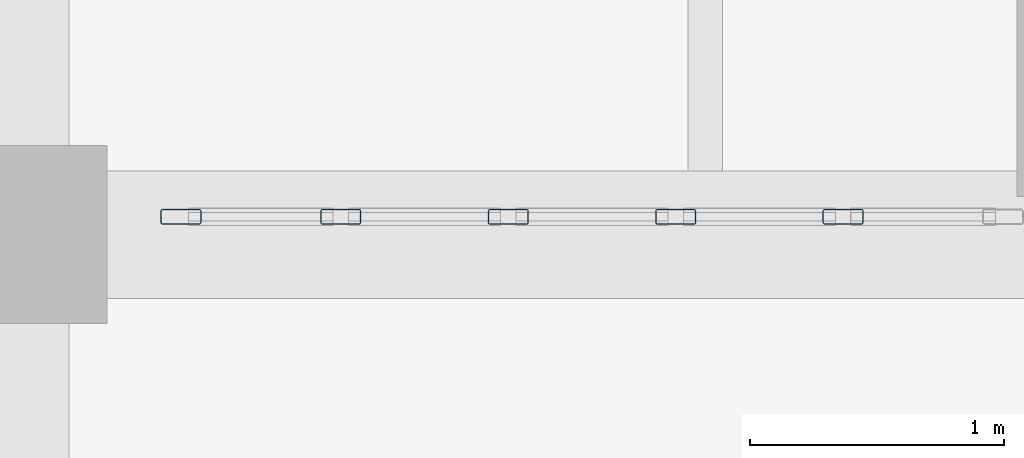
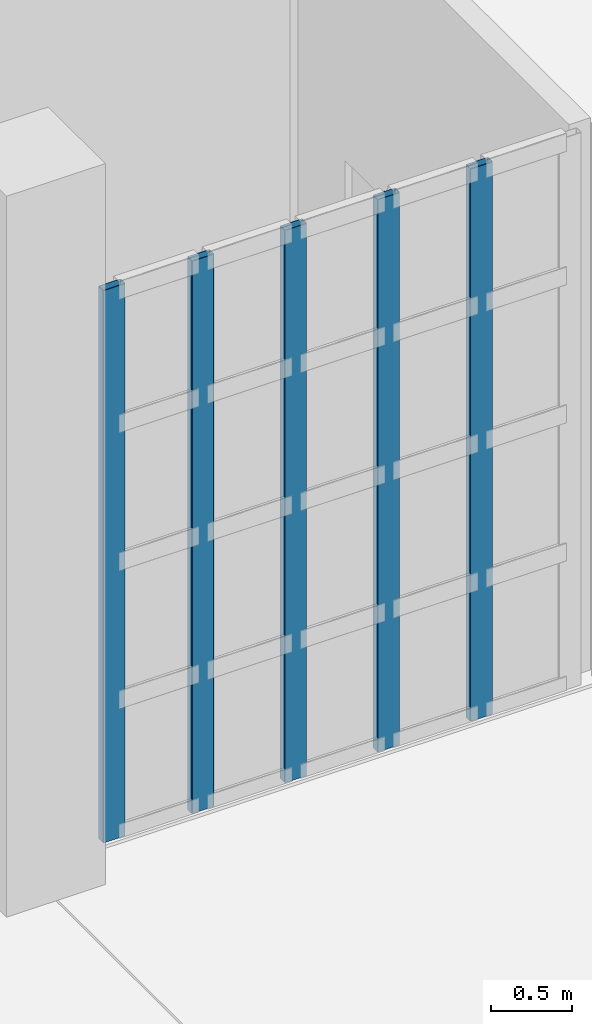
# One storey, part 95 of 372: 5 members, 1 element without a shape of its own.
"""IFC4 building model written with IfcOpenShell, lengths in metres."""

import ifcopenshell
import ifcopenshell.guid

model = None  # the IFC model being written
_history = None  # IfcOwnerHistory: only IFC2X3 demands one
_inside = {}  # id of a spatial element -> (the spatial element, [elements in it])
_under = {}  # id of a project, library or spatial element -> (it, [spatial elements below it])
_declared = {}  # id of a project -> (the project, [libraries it declares])
_typed = {}  # id of a type object -> (the type object, [elements of that type])
_made_of = {}  # id of a material, layer set ... -> (it, [elements and type objects made of it])


def new_model(schema):
    """Start an empty IFC model of exactly this schema.

    Asked for "IFC4X3", IfcOpenShell would pick the latest addendum, in which some entities
    have other attributes; the version numbers below select the first issue.
    IFC2X3 requires an IfcOwnerHistory on every rooted entity: one is made here for all.
    """
    global model, _history
    if schema == "IFC4X3":
        model = ifcopenshell.file(schema_version=(4, 3, 0, 0))
    else:
        model = ifcopenshell.file(schema=schema)
    _inside.clear()
    _under.clear()
    _declared.clear()
    _typed.clear()
    _made_of.clear()
    _history = None
    if model.schema == "IFC2X3":
        org = make("IfcOrganization", Name="unknown")
        user = make(
            "IfcPersonAndOrganization",
            ThePerson=make("IfcPerson", FamilyName="unknown"),
            TheOrganization=org,
        )
        app = make(
            "IfcApplication",
            ApplicationDeveloper=org,
            Version="unknown",
            ApplicationFullName="unknown",
            ApplicationIdentifier="unknown",
        )
        _history = make(
            "IfcOwnerHistory",
            OwningUser=user,
            OwningApplication=app,
            ChangeAction="ADDED",
            CreationDate=0,
        )
    return model


def make(cls, **values):
    """One entity of the class cls with the attributes given. An attribute that is None is left unset."""
    return model.create_entity(
        cls, **{name: value for name, value in values.items() if value is not None}
    )


def rooted(cls, **values):
    """An entity with a GlobalId (a new one), such as an element, a storey or a relation."""
    return make(cls, GlobalId=ifcopenshell.guid.new(), OwnerHistory=_history, **values)


def si_unit(unit_type, name, prefix=None):
    """IfcSIUnit, for example si_unit("LENGTHUNIT", "METRE", prefix="MILLI")."""
    return make("IfcSIUnit", UnitType=unit_type, Prefix=prefix, Name=name)


def assignment(units):
    """IfcUnitAssignment: the units of a project."""
    return None if units is None else make("IfcUnitAssignment", Units=units)


def point(xyz):
    """IfcCartesianPoint."""
    return None if xyz is None else make("IfcCartesianPoint", Coordinates=xyz)


def direction(xyz):
    """IfcDirection."""
    return None if xyz is None else make("IfcDirection", DirectionRatios=xyz)


def frame(location, z_axis=None, x_axis=None):
    """IfcAxis2Placement3D, a coordinate frame: its origin and axes. An axis left out is left unset."""
    return make(
        "IfcAxis2Placement3D",
        Location=point(location),
        Axis=direction(z_axis),
        RefDirection=direction(x_axis),
    )


def frame_2d(location, x_axis=None):
    """IfcAxis2Placement2D, a coordinate frame in the plane: its origin and x axis."""
    return make(
        "IfcAxis2Placement2D", Location=point(location), RefDirection=direction(x_axis)
    )


def origin():
    """The frame at (0, 0, 0) with its axes left unset."""
    return frame((0.0, 0.0, 0.0))


def origin_2d():
    """The frame at (0, 0) in the plane with its x axis left unset."""
    return frame_2d((0.0, 0.0))


def place(relative_to, where):
    """IfcLocalPlacement: puts the frame where relative to a parent placement (None: the world)."""
    return make(
        "IfcLocalPlacement", PlacementRelTo=relative_to, RelativePlacement=where
    )


def context(
    kind, dimensions, precision=None, world=None, true_north=None, identifier=None
):
    """IfcGeometricRepresentationContext, for example the 3D "Model" context."""
    return make(
        "IfcGeometricRepresentationContext",
        ContextIdentifier=identifier,
        ContextType=kind,
        CoordinateSpaceDimension=dimensions,
        Precision=precision,
        WorldCoordinateSystem=world,
        TrueNorth=true_north,
    )


def subcontext(parent, identifier, kind, view, scale=None):
    """IfcGeometricRepresentationSubContext, for example "Body" below "Model"."""
    return make(
        "IfcGeometricRepresentationSubContext",
        ContextIdentifier=identifier,
        ContextType=kind,
        ParentContext=parent,
        TargetScale=scale,
        TargetView=view,
    )


def project(units=None, contexts=None):
    """IfcProject with its units and contexts."""
    return rooted(
        "IfcProject",
        Name="project",
        RepresentationContexts=contexts,
        UnitsInContext=assignment(units),
    )


def spatial(cls, under=None, at=None, **own):
    """A site, building, storey or space (cls), placed at a placement, below another one or the project."""
    s = rooted(cls, ObjectPlacement=at, **own)
    if under is not None:
        _under.setdefault(under.id(), (under, []))[1].append(s)
    return s


def profile(cls, at=None, kind="AREA", **sizes):
    """A parametric profile (cls). Its sizes go by their IFC names, for example OverallWidth=200.0."""
    return make(cls, ProfileType=kind, Position=at, **sizes)


def hollow_rectangle(**sizes):
    """IfcRectangleHollowProfileDef."""
    return profile("IfcRectangleHollowProfileDef", **sizes)


def extrude(swept, where, along, depth):
    """IfcExtrudedAreaSolid: the profile swept, set in the frame where, extruded along a direction by depth."""
    return make(
        "IfcExtrudedAreaSolid",
        SweptArea=swept,
        Position=where,
        ExtrudedDirection=direction(along),
        Depth=depth,
    )


def shape(context_of_items, identifier, shape_type, items):
    """IfcShapeRepresentation: the items that make up one representation, for example the "Body"."""
    return make(
        "IfcShapeRepresentation",
        ContextOfItems=context_of_items,
        RepresentationIdentifier=identifier,
        RepresentationType=shape_type,
        Items=items,
    )


def material(Name=None, Category=None):
    """IfcMaterial."""
    return make("IfcMaterial", Name=Name, Category=Category)


def material_profile(
    of_material, cross_section, Name=None, Category=None, Priority=None
):
    """IfcMaterialProfile: a cross section and its material."""
    return make(
        "IfcMaterialProfile",
        Name=Name,
        Material=of_material,
        Profile=cross_section,
        Priority=Priority,
        Category=Category,
    )


def profile_set(profiles, Name=None, composite=None):
    """IfcMaterialProfileSet."""
    return make(
        "IfcMaterialProfileSet",
        Name=Name,
        MaterialProfiles=profiles,
        CompositeProfile=composite,
    )


def made_of(thing, what):
    """Note that an element or type object is made of a material, layer set ...; save() writes the relation."""
    if what is not None:
        _made_of.setdefault(what.id(), (what, []))[1].append(thing)
    return thing


def type_object(cls, material=None, **own):
    """A type object (cls), such as IfcWallType, which elements share."""
    return made_of(rooted(cls, **own), material)


def element(
    cls,
    number,
    at=None,
    inside=None,
    cuts=None,
    type_object=None,
    material=None,
    context=None,
    identifier="Body",
    shape_type=None,
    held_by="IfcProductDefinitionShape",
    body=None,
    shapes=None,
    **own,
):
    """One element of the class cls, such as IfcWall. Its Tag is "e" and its number.

    at: its placement. inside: the storey or other place that contains it. cuts: it is an
    opening in that element (IfcRelVoidsElement). A single representation is given by context,
    identifier, shape_type and body (its items); several are given by shapes. held_by: the class
    of the entity that holds the representations. save() writes the other relations.
    """
    e = rooted(cls, Tag="e%d" % number, ObjectPlacement=at, **own)
    if body is not None:
        shapes = [shape(context, identifier, shape_type, body)]
    if shapes is not None:
        e.Representation = make(held_by, Representations=shapes)
    if inside is not None:
        _inside.setdefault(inside.id(), (inside, []))[1].append(e)
    if cuts is not None:
        rooted(
            "IfcRelVoidsElement", RelatingBuildingElement=cuts, RelatedOpeningElement=e
        )
    if type_object is not None:
        _typed.setdefault(type_object.id(), (type_object, []))[1].append(e)
    return made_of(e, material)


def aggregate(whole, parts):
    """IfcRelAggregates: a whole, such as a stair, and the parts it consists of."""
    return rooted("IfcRelAggregates", RelatingObject=whole, RelatedObjects=parts)


def save(model, path):
    """Write the relations noted so far, then the file.

    IfcRelAggregates (storeys below a building ...), IfcRelContainedInSpatialStructure (elements
    in a storey), IfcRelDefinesByType, IfcRelAssociatesMaterial and IfcRelDeclares: one each for
    every whole, place, type object, material and project.
    """
    for whole, parts in _under.values():
        aggregate(whole, parts)
    for where, things in _inside.values():
        rooted(
            "IfcRelContainedInSpatialStructure",
            RelatedElements=things,
            RelatingStructure=where,
        )
    for kind, things in _typed.values():
        rooted("IfcRelDefinesByType", RelatedObjects=things, RelatingType=kind)
    for what, things in _made_of.values():
        rooted("IfcRelAssociatesMaterial", RelatedObjects=things, RelatingMaterial=what)
    for by, libraries in _declared.values():
        rooted("IfcRelDeclares", RelatingContext=by, RelatedDefinitions=libraries)
    model.write(path)


model = new_model("IFC4")

# Units and contexts
model_context = context("Model", 3, precision=1e-05, world=origin(), true_north=direction((0.0, 1.0)))
body_context = subcontext(model_context, "Body", "Model", "MODEL_VIEW")
ifc_project = project(units=[si_unit("LENGTHUNIT", "METRE"), si_unit("AREAUNIT", "SQUARE_METRE"), si_unit("VOLUMEUNIT", "CUBIC_METRE"), si_unit("PLANEANGLEUNIT", "RADIAN"), si_unit("MASSUNIT", "GRAM", prefix="KILO")], contexts=[model_context])

# Site, building, storey
site_placement = place(None, origin())
site = spatial("IfcSite", under=ifc_project, at=site_placement, CompositionType="ELEMENT")
building_placement = place(site_placement, origin())
building = spatial("IfcBuilding", under=site, at=building_placement, Name="Kaelora Sail Theatre", CompositionType="ELEMENT")
storey_placement = place(building_placement, origin())
storey = spatial("IfcBuildingStorey", under=building, at=storey_placement, Name="L00", CompositionType="ELEMENT", Elevation=0.0)

# Curtain wall, members
ifc_material_1 = material(Name="Anodised aluminium and solar-control low-E IGU", Category="aluminium")
curtain_wall_type = type_object("IfcCurtainWallType", Name="ARC-CW-CW-FOY1", PredefinedType="NOTDEFINED", material=ifc_material_1)
curtain_wall_placement = place(storey_placement, origin())
curtain_wall = element("IfcCurtainWall", 1, at=curtain_wall_placement, inside=storey, type_object=curtain_wall_type, Name="Glazed Foyer/Conservatory Curtain Wall FW1-S-L00-01", PredefinedType="NOTDEFINED")
ifc_material_2 = material(Name="Anodised aluminium 6063-T6", Category="aluminium")
ifc_material_profile = material_profile(ifc_material_2, hollow_rectangle(XDim=0.06005859375, YDim=0.159912109375, WallThickness=0.00390625, InnerFilletRadius=0.00390625, OuterFilletRadius=0.008056640625, at=origin_2d()), Name="ALU-MULL 60x160x4")
ifc_profile_set = profile_set([ifc_material_profile], Name="Anodised aluminium 6063-T6")
member_type = type_object("IfcMemberType", Name="ARC-MEM-ML-160", PredefinedType="MULLION", material=ifc_profile_set)
member_1_placement = place(storey_placement, frame((18.340087890625, 61.090087890625, 0.0), z_axis=(0.0, 0.0, 1.0), x_axis=(0.0, 1.0, 0.0)))
member_1 = element("IfcMember", 2, at=member_1_placement, type_object=member_type, Name="CW-FOY1 mullion 1", PredefinedType="MULLION", context=body_context, shape_type="SweptSolid", body=[
    extrude(hollow_rectangle(XDim=0.06005859375, YDim=0.159912109375, WallThickness=0.00390625, InnerFilletRadius=0.00390625, OuterFilletRadius=0.008056640625, at=origin_2d()), origin(), (0.0, 0.0, 1.0), 4.136962890625),
])
member_2_placement = place(storey_placement, frame((18.968017578125, 61.090087890625, 0.0), z_axis=(0.0, 0.0, 1.0), x_axis=(0.0, 1.0, 0.0)))
member_2 = element("IfcMember", 3, at=member_2_placement, type_object=member_type, Name="CW-FOY1 mullion 2", PredefinedType="MULLION", context=body_context, shape_type="SweptSolid", body=[
    extrude(hollow_rectangle(XDim=0.06005859375, YDim=0.159912109375, WallThickness=0.00390625, InnerFilletRadius=0.00390625, OuterFilletRadius=0.008056640625, at=origin_2d()), origin(), (0.0, 0.0, 1.0), 4.136962890625),
])
member_3_placement = place(storey_placement, frame((19.6259765625, 61.090087890625, 0.0), z_axis=(0.0, 0.0, 1.0), x_axis=(0.0, 1.0, 0.0)))
member_3 = element("IfcMember", 4, at=member_3_placement, type_object=member_type, Name="CW-FOY1 mullion 3", PredefinedType="MULLION", context=body_context, shape_type="SweptSolid", body=[
    extrude(hollow_rectangle(XDim=0.06005859375, YDim=0.159912109375, WallThickness=0.00390625, InnerFilletRadius=0.00390625, OuterFilletRadius=0.008056640625, at=origin_2d()), origin(), (0.0, 0.0, 1.0), 4.136962890625),
])
member_4_placement = place(storey_placement, frame((20.283935546875, 61.090087890625, 0.0), z_axis=(0.0, 0.0, 1.0), x_axis=(0.0, 1.0, 0.0)))
member_4 = element("IfcMember", 5, at=member_4_placement, type_object=member_type, Name="CW-FOY1 mullion 4", PredefinedType="MULLION", context=body_context, shape_type="SweptSolid", body=[
    extrude(hollow_rectangle(XDim=0.06005859375, YDim=0.159912109375, WallThickness=0.00390625, InnerFilletRadius=0.00390625, OuterFilletRadius=0.008056640625, at=origin_2d()), origin(), (0.0, 0.0, 1.0), 4.136962890625),
])
member_5_placement = place(storey_placement, frame((20.94189453125, 61.090087890625, 0.0), z_axis=(0.0, 0.0, 1.0), x_axis=(0.0, 1.0, 0.0)))
member_5 = element("IfcMember", 6, at=member_5_placement, type_object=member_type, Name="CW-FOY1 mullion 5", PredefinedType="MULLION", context=body_context, shape_type="SweptSolid", body=[
    extrude(hollow_rectangle(XDim=0.06005859375, YDim=0.159912109375, WallThickness=0.00390625, InnerFilletRadius=0.00390625, OuterFilletRadius=0.008056640625, at=origin_2d()), origin(), (0.0, 0.0, 1.0), 4.136962890625),
])
aggregate(curtain_wall, [member_1, member_2, member_3, member_4, member_5])

save(model, "model.ifc")
